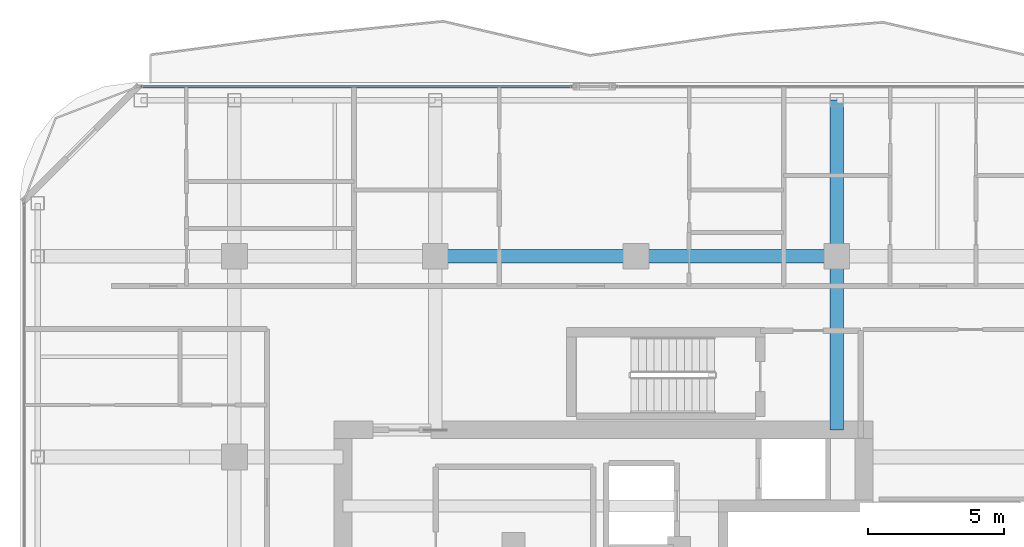
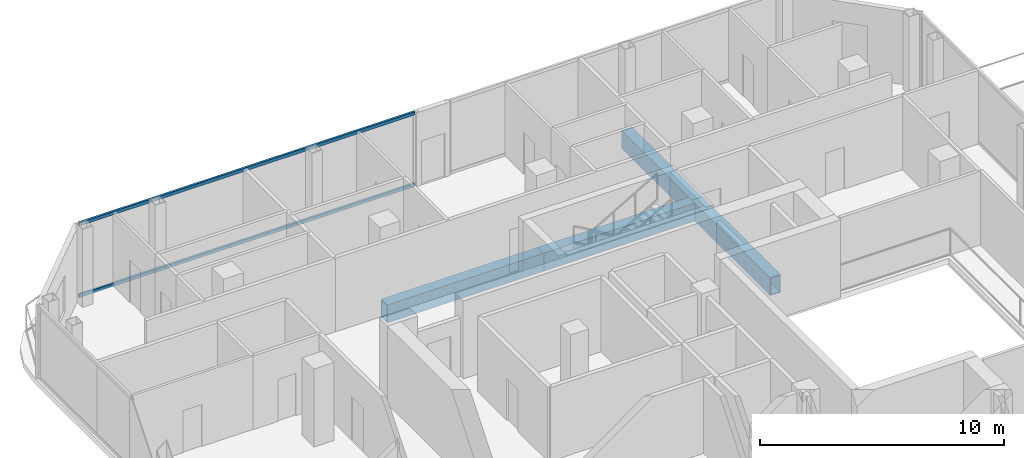
# One storey, part 12 of 24: 4 beams, 2 members, 1 element without a shape of its own.
"""IFC4 building model written with IfcOpenShell, lengths in metres."""

from ifc_helpers import new_model, si_unit, direction, frame, origin, origin_2d, place, context, subcontext, project, spatial, hollow_rectangle, extrude, material, layer, layer_set, material_profile, profile_set, type_object, element, aggregate, save


model = new_model("IFC4")

# Units and contexts
model_context = context("Model", 3, precision=1e-05, world=origin(), true_north=direction((0.0, 1.0)))
body_context = subcontext(model_context, "Body", "Model", "MODEL_VIEW")
ifc_project = project(units=[si_unit("LENGTHUNIT", "METRE"), si_unit("AREAUNIT", "SQUARE_METRE"), si_unit("VOLUMEUNIT", "CUBIC_METRE"), si_unit("PLANEANGLEUNIT", "RADIAN"), si_unit("MASSUNIT", "GRAM", prefix="KILO")], contexts=[model_context])

# Site, building, storey
site_placement = place(None, origin())
site = spatial("IfcSite", under=ifc_project, at=site_placement, CompositionType="ELEMENT")
building_placement = place(site_placement, origin())
building = spatial("IfcBuilding", under=site, at=building_placement, Name="Khorvyn Point Tower", CompositionType="ELEMENT")
storey_placement = place(building_placement, frame((0.0, 0.0, 285.89990234375)))
storey = spatial("IfcBuildingStorey", under=building, at=storey_placement, Name="L70", CompositionType="ELEMENT", Elevation=285.89990234375)

# Curtain wall, members
ifc_material_1 = material(Name="Anodised aluminium 6063-T6 and laminated Low-E glass", Category="aluminium")
ifc_layer = layer(ifc_material_1, 0.18994140625)
ifc_layer_set = layer_set([ifc_layer], Name="Stick-Built High-Wind Curtain Wall CW-SYS-04")
curtain_wall_type = type_object("IfcCurtainWallType", Name="Stick-Built High-Wind Curtain Wall CW-SYS-04", PredefinedType="NOTDEFINED", material=ifc_layer_set)
curtain_wall_placement = place(storey_placement, origin())
curtain_wall = element("IfcCurtainWall", 1, at=curtain_wall_placement, inside=storey, type_object=curtain_wall_type, Name="Curtain Wall", PredefinedType="NOTDEFINED")
ifc_material_2 = material(Name="Anodised aluminium 6063-T6", Category="aluminium")
ifc_material_profile_1 = material_profile(ifc_material_2, hollow_rectangle(XDim=0.10009765625, YDim=0.159912109375, WallThickness=0.00439453125, at=origin_2d()))
ifc_profile_set_1 = profile_set([ifc_material_profile_1], Name="Anodised aluminium 6063-T6 ALU-TRN-100x160")
member_type = type_object("IfcMemberType", Name="Anodised Aluminium 6063-T6 Transom ALU-TRN-100x160", PredefinedType="USERDEFINED", material=ifc_profile_set_1)
member_1_placement = place(storey_placement, frame((-18.25, 21.050048828125, 0.050048828125), z_axis=(1.0, 0.0, 0.0), x_axis=(0.0, 1.0, 0.0)))
member_1 = element("IfcMember", 2, at=member_1_placement, type_object=member_type, Name="Transom", ObjectType="TRANSOM", PredefinedType="USERDEFINED", context=body_context, shape_type="SweptSolid", body=[
    extrude(hollow_rectangle(XDim=0.10009765625, YDim=0.159912109375, WallThickness=0.00439453125, at=origin_2d()), origin(), (0.0, 0.0, 1.0), 15.889892578125),
])
member_2_placement = place(storey_placement, frame((-18.25, 21.050048828125, 3.630126953125), z_axis=(1.0, 0.0, 0.0), x_axis=(0.0, 1.0, 0.0)))
member_2 = element("IfcMember", 3, at=member_2_placement, type_object=member_type, Name="Transom", ObjectType="TRANSOM", PredefinedType="USERDEFINED", context=body_context, shape_type="SweptSolid", body=[
    extrude(hollow_rectangle(XDim=0.10009765625, YDim=0.159912109375, WallThickness=0.00439453125, at=origin_2d()), origin(), (0.0, 0.0, 1.0), 15.889892578125),
])
aggregate(curtain_wall, [member_1, member_2])

# Beams
ifc_material_3 = material(Name="Steel S450", Category="steel")
ifc_material_profile_2 = material_profile(ifc_material_3, hollow_rectangle(XDim=0.5, YDim=0.89990234375, WallThickness=0.0400390625, at=origin_2d()))
ifc_profile_set_2 = profile_set([ifc_material_profile_2], Name="Steel S450 BOX900x500x40")
beam_type = type_object("IfcBeamType", Name="Steel S450 Beam BOX900x500x40", PredefinedType="BEAM", material=ifc_profile_set_2)
for number, where, z_axis, x_axis, name in (
    (4, (-7.39990234375, 14.800048828125, -0.72998046875), (1.0, 0.0, 0.0), (0.0, 1.0, 0.0), "L70 Radial Transfer Girder"),
    (5, (0.0, 14.800048828125, -0.72998046875), (1.0, 0.0, 0.0), (0.0, 1.0, 0.0), "L70 Radial Transfer Girder"),
):
    element("IfcBeam", number, at=place(storey_placement, frame(where, z_axis=z_axis, x_axis=x_axis)), inside=storey, type_object=beam_type, Name=name, PredefinedType="BEAM", context=body_context, shape_type="SweptSolid", body=[
        extrude(hollow_rectangle(XDim=0.5, YDim=0.89990234375, WallThickness=0.0400390625, at=origin_2d()), origin(), (0.0, 0.0, 1.0), 7.39990234375),
    ])
beam_1_placement = place(storey_placement, frame((7.39990234375, 8.39990234375, -0.72998046875), z_axis=(0.0, 1.0, 0.0), x_axis=(-1.0, 0.0, 0.0)))
element("IfcBeam", 6, at=beam_1_placement, inside=storey, type_object=beam_type, Name="Beam", PredefinedType="BEAM", context=body_context, shape_type="SweptSolid", body=[
    extrude(hollow_rectangle(XDim=0.5, YDim=0.89990234375, WallThickness=0.0400390625, at=origin_2d()), origin(), (0.0, 0.0, 1.0), 6.400146484375),
])
beam_2_placement = place(storey_placement, frame((7.39990234375, 14.800048828125, -0.72998046875), z_axis=(0.0, 1.0, 0.0), x_axis=(-1.0, 0.0, 0.0)))
element("IfcBeam", 7, at=beam_2_placement, inside=storey, type_object=beam_type, Name="Beam", PredefinedType="BEAM", context=body_context, shape_type="SweptSolid", body=[
    extrude(hollow_rectangle(XDim=0.5, YDim=0.89990234375, WallThickness=0.0400390625, at=origin_2d()), origin(), (0.0, 0.0, 1.0), 5.75),
])

save(model, "model.ifc")
